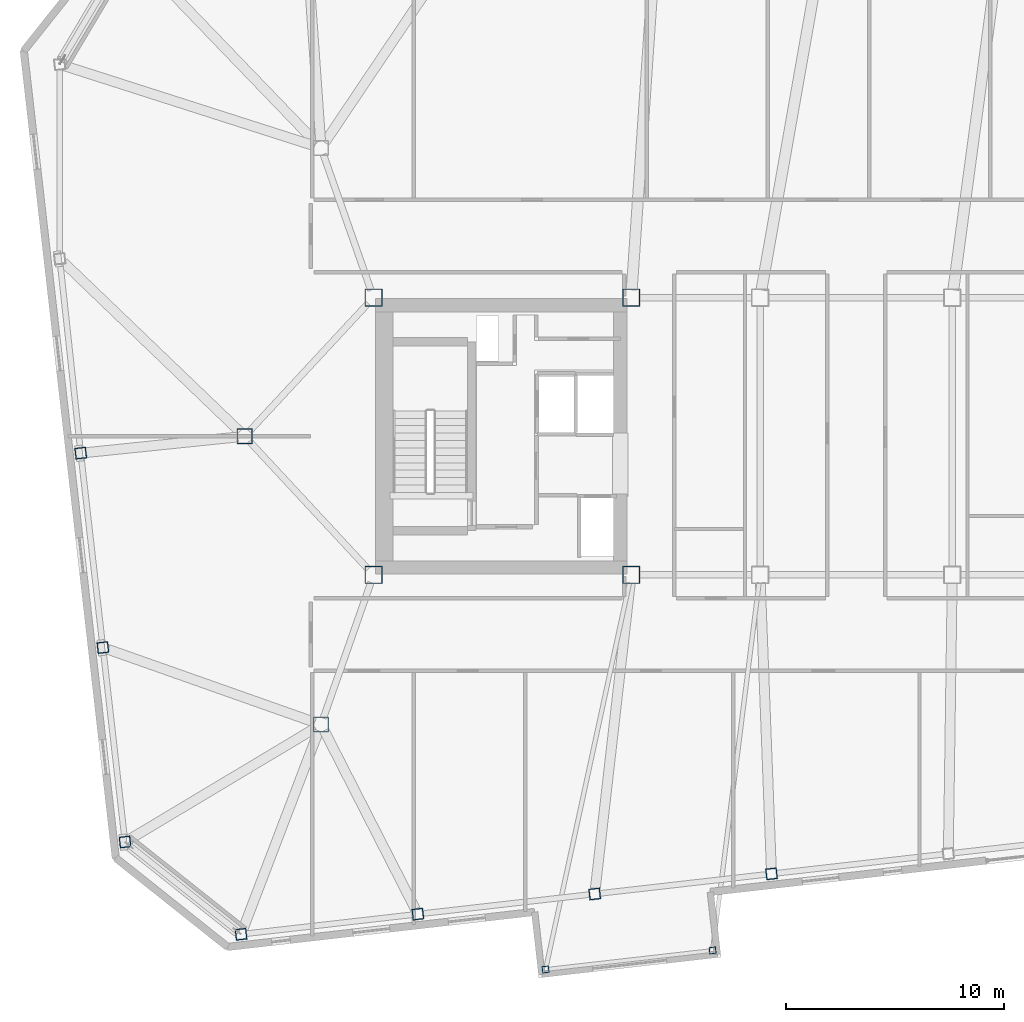
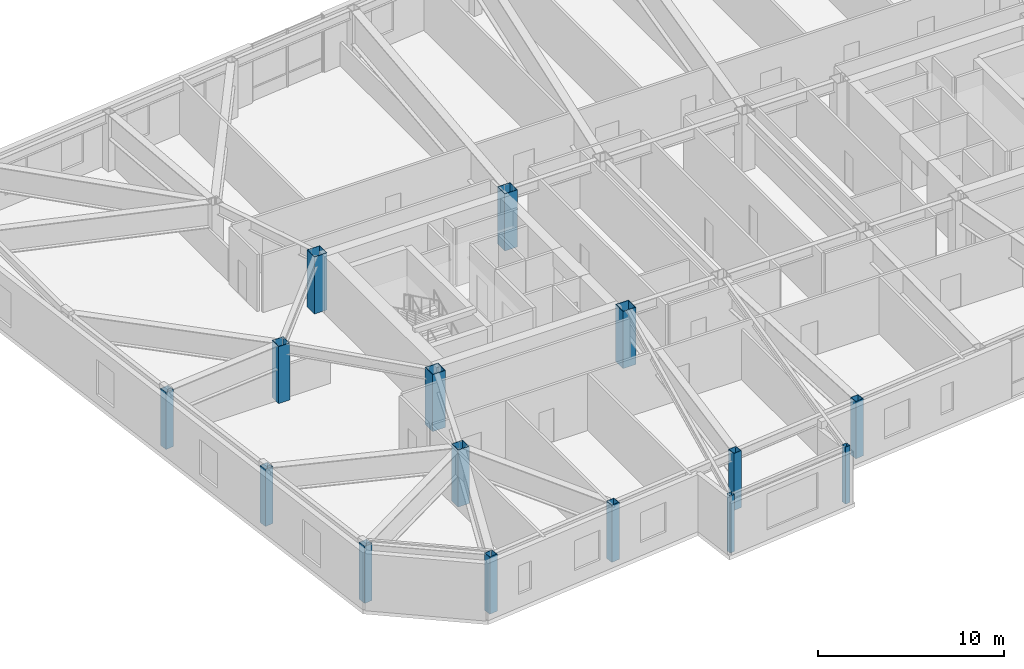
# One storey, part 1 of 18: 15 columns.
"""IFC4 building model written with IfcOpenShell, lengths in metres."""

import ifcopenshell
import ifcopenshell.guid

model = None  # the IFC model being written
_history = None  # IfcOwnerHistory: only IFC2X3 demands one
_inside = {}  # id of a spatial element -> (the spatial element, [elements in it])
_under = {}  # id of a project, library or spatial element -> (it, [spatial elements below it])
_declared = {}  # id of a project -> (the project, [libraries it declares])
_typed = {}  # id of a type object -> (the type object, [elements of that type])
_made_of = {}  # id of a material, layer set ... -> (it, [elements and type objects made of it])


def new_model(schema):
    """Start an empty IFC model of exactly this schema.

    Asked for "IFC4X3", IfcOpenShell would pick the latest addendum, in which some entities
    have other attributes; the version numbers below select the first issue.
    IFC2X3 requires an IfcOwnerHistory on every rooted entity: one is made here for all.
    """
    global model, _history
    if schema == "IFC4X3":
        model = ifcopenshell.file(schema_version=(4, 3, 0, 0))
    else:
        model = ifcopenshell.file(schema=schema)
    _inside.clear()
    _under.clear()
    _declared.clear()
    _typed.clear()
    _made_of.clear()
    _history = None
    if model.schema == "IFC2X3":
        org = make("IfcOrganization", Name="unknown")
        user = make(
            "IfcPersonAndOrganization",
            ThePerson=make("IfcPerson", FamilyName="unknown"),
            TheOrganization=org,
        )
        app = make(
            "IfcApplication",
            ApplicationDeveloper=org,
            Version="unknown",
            ApplicationFullName="unknown",
            ApplicationIdentifier="unknown",
        )
        _history = make(
            "IfcOwnerHistory",
            OwningUser=user,
            OwningApplication=app,
            ChangeAction="ADDED",
            CreationDate=0,
        )
    return model


def make(cls, **values):
    """One entity of the class cls with the attributes given. An attribute that is None is left unset."""
    return model.create_entity(
        cls, **{name: value for name, value in values.items() if value is not None}
    )


def rooted(cls, **values):
    """An entity with a GlobalId (a new one), such as an element, a storey or a relation."""
    return make(cls, GlobalId=ifcopenshell.guid.new(), OwnerHistory=_history, **values)


def si_unit(unit_type, name, prefix=None):
    """IfcSIUnit, for example si_unit("LENGTHUNIT", "METRE", prefix="MILLI")."""
    return make("IfcSIUnit", UnitType=unit_type, Prefix=prefix, Name=name)


def assignment(units):
    """IfcUnitAssignment: the units of a project."""
    return None if units is None else make("IfcUnitAssignment", Units=units)


def point(xyz):
    """IfcCartesianPoint."""
    return None if xyz is None else make("IfcCartesianPoint", Coordinates=xyz)


def direction(xyz):
    """IfcDirection."""
    return None if xyz is None else make("IfcDirection", DirectionRatios=xyz)


def frame(location, z_axis=None, x_axis=None):
    """IfcAxis2Placement3D, a coordinate frame: its origin and axes. An axis left out is left unset."""
    return make(
        "IfcAxis2Placement3D",
        Location=point(location),
        Axis=direction(z_axis),
        RefDirection=direction(x_axis),
    )


def frame_2d(location, x_axis=None):
    """IfcAxis2Placement2D, a coordinate frame in the plane: its origin and x axis."""
    return make(
        "IfcAxis2Placement2D", Location=point(location), RefDirection=direction(x_axis)
    )


def origin():
    """The frame at (0, 0, 0) with its axes left unset."""
    return frame((0.0, 0.0, 0.0))


def origin_2d():
    """The frame at (0, 0) in the plane with its x axis left unset."""
    return frame_2d((0.0, 0.0))


def place(relative_to, where):
    """IfcLocalPlacement: puts the frame where relative to a parent placement (None: the world)."""
    return make(
        "IfcLocalPlacement", PlacementRelTo=relative_to, RelativePlacement=where
    )


def context(
    kind, dimensions, precision=None, world=None, true_north=None, identifier=None
):
    """IfcGeometricRepresentationContext, for example the 3D "Model" context."""
    return make(
        "IfcGeometricRepresentationContext",
        ContextIdentifier=identifier,
        ContextType=kind,
        CoordinateSpaceDimension=dimensions,
        Precision=precision,
        WorldCoordinateSystem=world,
        TrueNorth=true_north,
    )


def subcontext(parent, identifier, kind, view, scale=None):
    """IfcGeometricRepresentationSubContext, for example "Body" below "Model"."""
    return make(
        "IfcGeometricRepresentationSubContext",
        ContextIdentifier=identifier,
        ContextType=kind,
        ParentContext=parent,
        TargetScale=scale,
        TargetView=view,
    )


def project(units=None, contexts=None):
    """IfcProject with its units and contexts."""
    return rooted(
        "IfcProject",
        Name="project",
        RepresentationContexts=contexts,
        UnitsInContext=assignment(units),
    )


def spatial(cls, under=None, at=None, **own):
    """A site, building, storey or space (cls), placed at a placement, below another one or the project."""
    s = rooted(cls, ObjectPlacement=at, **own)
    if under is not None:
        _under.setdefault(under.id(), (under, []))[1].append(s)
    return s


def profile(cls, at=None, kind="AREA", **sizes):
    """A parametric profile (cls). Its sizes go by their IFC names, for example OverallWidth=200.0."""
    return make(cls, ProfileType=kind, Position=at, **sizes)


def hollow_rectangle(**sizes):
    """IfcRectangleHollowProfileDef."""
    return profile("IfcRectangleHollowProfileDef", **sizes)


def extrude(swept, where, along, depth):
    """IfcExtrudedAreaSolid: the profile swept, set in the frame where, extruded along a direction by depth."""
    return make(
        "IfcExtrudedAreaSolid",
        SweptArea=swept,
        Position=where,
        ExtrudedDirection=direction(along),
        Depth=depth,
    )


def shape(context_of_items, identifier, shape_type, items):
    """IfcShapeRepresentation: the items that make up one representation, for example the "Body"."""
    return make(
        "IfcShapeRepresentation",
        ContextOfItems=context_of_items,
        RepresentationIdentifier=identifier,
        RepresentationType=shape_type,
        Items=items,
    )


def material(Name=None, Category=None):
    """IfcMaterial."""
    return make("IfcMaterial", Name=Name, Category=Category)


def material_profile(
    of_material, cross_section, Name=None, Category=None, Priority=None
):
    """IfcMaterialProfile: a cross section and its material."""
    return make(
        "IfcMaterialProfile",
        Name=Name,
        Material=of_material,
        Profile=cross_section,
        Priority=Priority,
        Category=Category,
    )


def profile_set(profiles, Name=None, composite=None):
    """IfcMaterialProfileSet."""
    return make(
        "IfcMaterialProfileSet",
        Name=Name,
        MaterialProfiles=profiles,
        CompositeProfile=composite,
    )


def made_of(thing, what):
    """Note that an element or type object is made of a material, layer set ...; save() writes the relation."""
    if what is not None:
        _made_of.setdefault(what.id(), (what, []))[1].append(thing)
    return thing


def type_object(cls, material=None, **own):
    """A type object (cls), such as IfcWallType, which elements share."""
    return made_of(rooted(cls, **own), material)


def element(
    cls,
    number,
    at=None,
    inside=None,
    cuts=None,
    type_object=None,
    material=None,
    context=None,
    identifier="Body",
    shape_type=None,
    held_by="IfcProductDefinitionShape",
    body=None,
    shapes=None,
    **own,
):
    """One element of the class cls, such as IfcWall. Its Tag is "e" and its number.

    at: its placement. inside: the storey or other place that contains it. cuts: it is an
    opening in that element (IfcRelVoidsElement). A single representation is given by context,
    identifier, shape_type and body (its items); several are given by shapes. held_by: the class
    of the entity that holds the representations. save() writes the other relations.
    """
    e = rooted(cls, Tag="e%d" % number, ObjectPlacement=at, **own)
    if body is not None:
        shapes = [shape(context, identifier, shape_type, body)]
    if shapes is not None:
        e.Representation = make(held_by, Representations=shapes)
    if inside is not None:
        _inside.setdefault(inside.id(), (inside, []))[1].append(e)
    if cuts is not None:
        rooted(
            "IfcRelVoidsElement", RelatingBuildingElement=cuts, RelatedOpeningElement=e
        )
    if type_object is not None:
        _typed.setdefault(type_object.id(), (type_object, []))[1].append(e)
    return made_of(e, material)


def aggregate(whole, parts):
    """IfcRelAggregates: a whole, such as a stair, and the parts it consists of."""
    return rooted("IfcRelAggregates", RelatingObject=whole, RelatedObjects=parts)


def save(model, path):
    """Write the relations noted so far, then the file.

    IfcRelAggregates (storeys below a building ...), IfcRelContainedInSpatialStructure (elements
    in a storey), IfcRelDefinesByType, IfcRelAssociatesMaterial and IfcRelDeclares: one each for
    every whole, place, type object, material and project.
    """
    for whole, parts in _under.values():
        aggregate(whole, parts)
    for where, things in _inside.values():
        rooted(
            "IfcRelContainedInSpatialStructure",
            RelatedElements=things,
            RelatingStructure=where,
        )
    for kind, things in _typed.values():
        rooted("IfcRelDefinesByType", RelatedObjects=things, RelatingType=kind)
    for what, things in _made_of.values():
        rooted("IfcRelAssociatesMaterial", RelatedObjects=things, RelatingMaterial=what)
    for by, libraries in _declared.values():
        rooted("IfcRelDeclares", RelatingContext=by, RelatedDefinitions=libraries)
    model.write(path)


model = new_model("IFC4")

# Units and contexts
model_context = context("Model", 3, precision=1e-05, world=origin(), true_north=direction((0.0, 1.0)))
body_context = subcontext(model_context, "Body", "Model", "MODEL_VIEW")
ifc_project = project(units=[si_unit("LENGTHUNIT", "METRE"), si_unit("AREAUNIT", "SQUARE_METRE"), si_unit("VOLUMEUNIT", "CUBIC_METRE"), si_unit("PLANEANGLEUNIT", "RADIAN"), si_unit("MASSUNIT", "GRAM", prefix="KILO")], contexts=[model_context])

# Site, building, storey
site_placement = place(None, origin())
site = spatial("IfcSite", under=ifc_project, at=site_placement, CompositionType="ELEMENT")
building_placement = place(site_placement, origin())
building = spatial("IfcBuilding", under=site, at=building_placement, Name="Tavrogorsk Clinical Tower", CompositionType="ELEMENT")
storey_placement = place(building_placement, frame((0.0, 0.0, 226.199951171875)))
storey = spatial("IfcBuildingStorey", under=building, at=storey_placement, Name="L52", CompositionType="ELEMENT", Elevation=226.199951171875)

# Columns
ifc_material_1 = material(Name="Structural steel S390", Category="steel")
ifc_material_profile_1 = material_profile(ifc_material_1, hollow_rectangle(XDim=0.300048828125, YDim=0.300048828125, WallThickness=0.01611328125, at=origin_2d()), Name="SHS-300x300x16")
ifc_profile_set_1 = profile_set([ifc_material_profile_1], Name="Structural steel S390")
column_type_1 = type_object("IfcColumnType", Name="DayroomCol_SHS300", PredefinedType="COLUMN", material=ifc_profile_set_1)
for number, where, z_axis, x_axis, name in (
    (1, (-14.22265625, -24.41455078125, 0.0), (0.0, 0.0, 1.0), (0.993571855677, 0.113203213768, 0.0), "L52 Day-Room Box Column DRB-07-L"),
    (2, (-6.572021484375, -23.54296875, 0.0), (0.0, 0.0, 1.0), (0.993571855677, 0.113203213768, 0.0), "L52 Day-Room Box Column DRB-07-R"),
):
    element("IfcColumn", number, at=place(storey_placement, frame(where, z_axis=z_axis, x_axis=x_axis)), inside=storey, type_object=column_type_1, Name=name, PredefinedType="COLUMN", context=body_context, shape_type="SweptSolid", body=[
        extrude(hollow_rectangle(XDim=0.300048828125, YDim=0.300048828125, WallThickness=0.01611328125, at=origin_2d()), origin(), (0.0, 0.0, 1.0), 3.739990234375),
    ])
ifc_material_2 = material(Name="Structural steel S440", Category="steel")
ifc_material_profile_2 = material_profile(ifc_material_2, hollow_rectangle(XDim=0.699951171875, YDim=0.699951171875, WallThickness=0.031982421875, at=origin_2d()), Name="BOX-700x700x32")
ifc_profile_set_2 = profile_set([ifc_material_profile_2], Name="Structural steel S440")
column_type_2 = type_object("IfcColumnType", Name="MegaCol_BOX700", PredefinedType="COLUMN", material=ifc_profile_set_2)
for number, where, z_axis, x_axis, name in (
    (3, (-24.5, -13.199951171875, 0.0), (0.0, 0.0, 1.0), (1.0, 0.0, 0.0), "L52 Spine Pilotis Column MC-P1"),
    (4, (-28.0, 0.0, 0.0), (0.0, 0.0, 1.0), (1.0, 0.0, 0.0), "L52 Spine Pilotis Column MC-P5"),
):
    element("IfcColumn", number, at=place(storey_placement, frame(where, z_axis=z_axis, x_axis=x_axis)), inside=storey, type_object=column_type_2, Name=name, PredefinedType="COLUMN", context=body_context, shape_type="SweptSolid", body=[
        extrude(hollow_rectangle(XDim=0.699951171875, YDim=0.699951171875, WallThickness=0.031982421875, at=origin_2d()), origin(), (0.0, 0.0, 1.0), 3.739990234375),
    ])
ifc_material_3 = material(Name="Structural steel S440", Category="steel")
ifc_material_profile_3 = material_profile(ifc_material_3, hollow_rectangle(XDim=0.800048828125, YDim=0.800048828125, WallThickness=0.035888671875, at=origin_2d()), Name="BOX-800x800x36")
ifc_profile_set_3 = profile_set([ifc_material_profile_3], Name="Structural steel S440")
column_type_3 = type_object("IfcColumnType", Name="MegaCol_BOX800", PredefinedType="COLUMN", material=ifc_profile_set_3)
for number, where, z_axis, x_axis, name in (
    (5, (-22.10009765625, -6.35009765625, 0.0), (0.0, 0.0, 1.0), (1.0, 0.0, 0.0), "L52 Mega Column MC-W1"),
    (6, (-22.10009765625, 6.35009765625, 0.0), (0.0, 0.0, 1.0), (1.0, 0.0, 0.0), "L52 Mega Column MC-W2"),
    (7, (-10.300048828125, -6.35009765625, 0.0), (0.0, 0.0, 1.0), (1.0, 0.0, 0.0), "L52 Mega Column MC-W3"),
    (8, (-10.300048828125, 6.35009765625, 0.0), (0.0, 0.0, 1.0), (1.0, 0.0, 0.0), "L52 Mega Column MC-W4"),
):
    element("IfcColumn", number, at=place(storey_placement, frame(where, z_axis=z_axis, x_axis=x_axis)), inside=storey, type_object=column_type_3, Name=name, PredefinedType="COLUMN", context=body_context, shape_type="SweptSolid", body=[
        extrude(hollow_rectangle(XDim=0.800048828125, YDim=0.800048828125, WallThickness=0.035888671875, at=origin_2d()), origin(), (0.0, 0.0, 1.0), 3.739990234375),
    ])
ifc_material_4 = material(Name="Structural steel S440", Category="steel")
ifc_material_profile_4 = material_profile(ifc_material_4, hollow_rectangle(XDim=0.5, YDim=0.5, WallThickness=0.02490234375, at=origin_2d()), Name="BOX-500x500x25")
ifc_profile_set_4 = profile_set([ifc_material_profile_4], Name="Structural steel S440")
column_type_4 = type_object("IfcColumnType", Name="PerimCol_B4_BOX500", PredefinedType="COLUMN", material=ifc_profile_set_4)
for number, where, z_axis, x_axis, name in (
    (9, (-28.164794921875, -22.802490234375, 0.0), (0.0, 0.0, 1.0), (0.993571855677, 0.113203213768, 0.0), "L52 Perimeter Column S1"),
    (10, (-20.068603515625, -21.880126953125, 0.0), (0.0, 0.0, 1.0), (0.993571855677, 0.113203213768, 0.0), "L52 Perimeter Column S2"),
    (11, (-11.972412109375, -20.95751953125, 0.0), (0.0, 0.0, 1.0), (0.993571855677, 0.113203213768, 0.0), "L52 Perimeter Column S3"),
    (12, (-3.876220703125, -20.03515625, 0.0), (0.0, 0.0, 1.0), (0.993571855677, 0.113203213768, 0.0), "L52 Perimeter Column S4"),
    (13, (-35.505859375, -0.77197265625, 0.0), (0.0, 0.0, 1.0), (0.993571855677, 0.113203213768, 0.0), "L52 Perimeter Column W3"),
    (14, (-34.491455078125, -9.67431640625, 0.0), (0.0, 0.0, 1.0), (0.993571855677, 0.113203213768, 0.0), "L52 Perimeter Column W4"),
    (15, (-33.477294921875, -18.57666015625, 0.0), (0.0, 0.0, 1.0), (0.993571855677, 0.113203213768, 0.0), "L52 Perimeter Column W5"),
):
    element("IfcColumn", number, at=place(storey_placement, frame(where, z_axis=z_axis, x_axis=x_axis)), inside=storey, type_object=column_type_4, Name=name, PredefinedType="COLUMN", context=body_context, shape_type="SweptSolid", body=[
        extrude(hollow_rectangle(XDim=0.5, YDim=0.5, WallThickness=0.02490234375, at=origin_2d()), origin(), (0.0, 0.0, 1.0), 3.739990234375),
    ])

save(model, "model.ifc")
